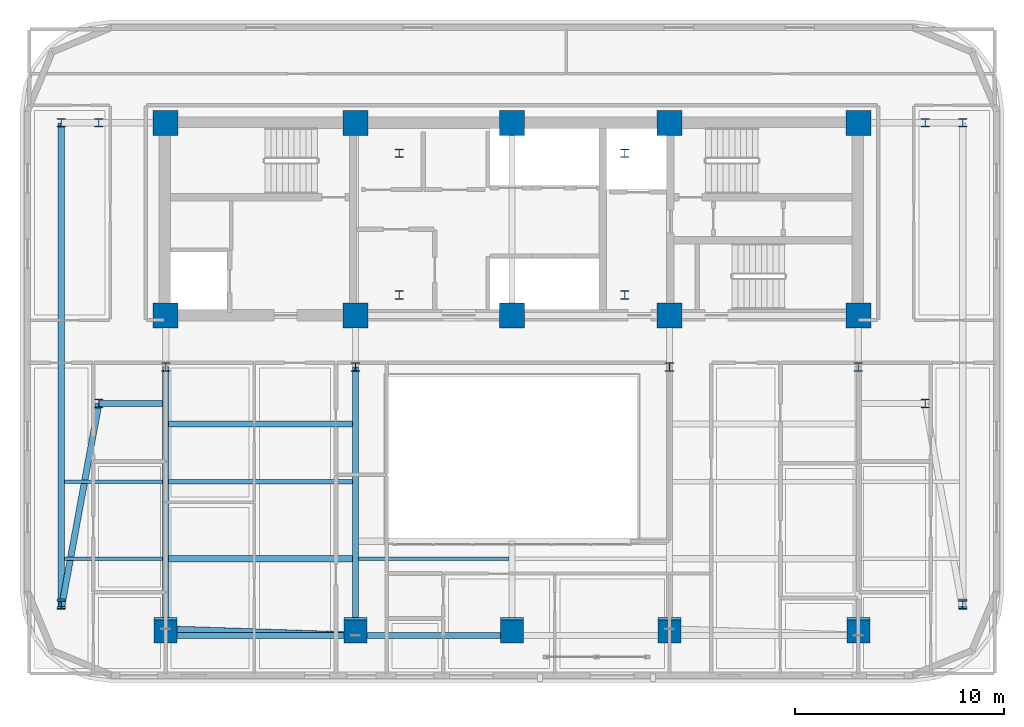
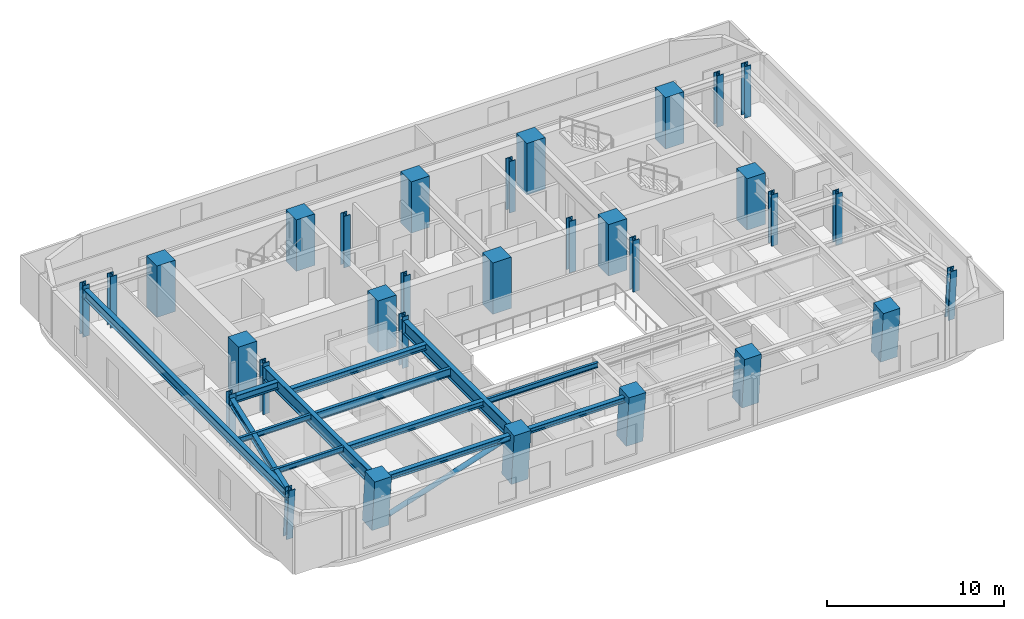
# One storey, part 1 of 13: 31 columns, 13 beams, 1 member.
"""IFC4 building model written with IfcOpenShell, lengths in metres."""

from ifc_helpers import new_model, si_unit, direction, frame, origin, origin_2d, place, context, subcontext, project, spatial, rectangle, hollow_circle, i_section, extrude, material, material_profile, profile_set, type_object, element, save


model = new_model("IFC4")

# Units and contexts
model_context = context("Model", 3, precision=1e-05, world=origin(), true_north=direction((0.0, 1.0)))
body_context = subcontext(model_context, "Body", "Model", "MODEL_VIEW")
ifc_project = project(units=[si_unit("LENGTHUNIT", "METRE"), si_unit("AREAUNIT", "SQUARE_METRE"), si_unit("VOLUMEUNIT", "CUBIC_METRE"), si_unit("PLANEANGLEUNIT", "RADIAN"), si_unit("MASSUNIT", "GRAM", prefix="KILO")], contexts=[model_context])

# Site, building, storey
site_placement = place(None, origin())
site = spatial("IfcSite", under=ifc_project, at=site_placement, CompositionType="ELEMENT")
building_placement = place(site_placement, origin())
building = spatial("IfcBuilding", under=site, at=building_placement, Name="Zarnavel Station Tower", CompositionType="ELEMENT")
storey_placement = place(building_placement, frame((0.0, 0.0, 148.35009765625)))
storey = spatial("IfcBuildingStorey", under=building, at=storey_placement, Name="L40", CompositionType="ELEMENT", Elevation=148.35009765625)

# Columns
ifc_material_1 = material(Name="Steel S355J2", Category="steel")
ifc_material_profile_1 = material_profile(ifc_material_1, i_section(OverallWidth=0.4130859375, OverallDepth=0.4150390625, WebThickness=0.030029296875, FlangeThickness=0.047119140625, FilletRadius=0.014892578125, at=origin_2d()), Name="HD400x347")
ifc_profile_set_1 = profile_set([ifc_material_profile_1], Name="Steel S355J2")
column_type_1 = type_object("IfcColumnType", Name="EC_HD347", PredefinedType="COLUMN", material=ifc_profile_set_1)
column_1_placement = place(storey_placement, frame((7.199951171875, 14.0341796875, 0.0), z_axis=(0.0, -0.079867837887, 0.996805461698), x_axis=(1.0, 0.0, 0.0)))
element("IfcColumn", 1, at=column_1_placement, inside=storey, type_object=column_type_1, Name="L40 Raked Wing Column 1", PredefinedType="COLUMN", context=body_context, shape_type="SweptSolid", body=[
    extrude(i_section(OverallWidth=0.4130859375, OverallDepth=0.4150390625, WebThickness=0.030029296875, FlangeThickness=0.047119140625, FilletRadius=0.014892578125, at=origin_2d()), origin(), (0.0, 0.0, 1.0), 3.561279296875),
])
column_2_placement = place(storey_placement, frame((7.199951171875, 37.050048828125, 0.0), z_axis=(0.0, 0.0, 1.0), x_axis=(1.0, 0.0, 0.0)))
element("IfcColumn", 2, at=column_2_placement, inside=storey, type_object=column_type_1, Name="L40 Outer Wing North Column 1", PredefinedType="COLUMN", context=body_context, shape_type="SweptSolid", body=[
    extrude(i_section(OverallWidth=0.4130859375, OverallDepth=0.4150390625, WebThickness=0.030029296875, FlangeThickness=0.047119140625, FilletRadius=0.014892578125, at=origin_2d()), origin(), (0.0, 0.0, 1.0), 3.5498046875),
])
column_3_placement = place(storey_placement, frame((50.39990234375, 14.0341796875, 0.0), z_axis=(0.0, -0.079867837887, 0.996805461698), x_axis=(1.0, 0.0, 0.0)))
element("IfcColumn", 3, at=column_3_placement, inside=storey, type_object=column_type_1, Name="L40 Raked Wing Column 2", PredefinedType="COLUMN", context=body_context, shape_type="SweptSolid", body=[
    extrude(i_section(OverallWidth=0.4130859375, OverallDepth=0.4150390625, WebThickness=0.030029296875, FlangeThickness=0.047119140625, FilletRadius=0.014892578125, at=origin_2d()), origin(), (0.0, 0.0, 1.0), 3.561279296875),
])
column_4_placement = place(storey_placement, frame((50.39990234375, 37.050048828125, 0.0), z_axis=(0.0, 0.0, 1.0), x_axis=(1.0, 0.0, 0.0)))
element("IfcColumn", 4, at=column_4_placement, inside=storey, type_object=column_type_1, Name="L40 Outer Wing North Column 2", PredefinedType="COLUMN", context=body_context, shape_type="SweptSolid", body=[
    extrude(i_section(OverallWidth=0.4130859375, OverallDepth=0.4150390625, WebThickness=0.030029296875, FlangeThickness=0.047119140625, FilletRadius=0.014892578125, at=origin_2d()), origin(), (0.0, 0.0, 1.0), 3.5498046875),
])
ifc_material_2 = material(Name="Steel S355J2", Category="steel")
ifc_material_profile_2 = material_profile(ifc_material_2, i_section(OverallWidth=0.4130859375, OverallDepth=0.4150390625, WebThickness=0.030029296875, FlangeThickness=0.047119140625, FilletRadius=0.014892578125, at=origin_2d()), Name="HD400x347")
ifc_profile_set_2 = profile_set([ifc_material_profile_2], Name="Steel S355J2")
column_type_2 = type_object("IfcColumnType", Name="IC_HD347", PredefinedType="COLUMN", material=ifc_profile_set_2)
for number, where, z_axis, x_axis, name in (
    (5, (23.39990234375, 28.800048828125, 0.0), (0.0, 0.0, 1.0), (1.0, 0.0, 0.0), "L40 Mast Spine Column 1"),
    (6, (34.199951171875, 28.800048828125, 0.0), (0.0, 0.0, 1.0), (1.0, 0.0, 0.0), "L40 Mast Spine Column 2"),
    (7, (34.199951171875, 35.60009765625, 0.0), (0.0, 0.0, 1.0), (1.0, 0.0, 0.0), "L40 Mast Spine Column 3"),
    (8, (23.39990234375, 35.60009765625, 0.0), (0.0, 0.0, 1.0), (1.0, 0.0, 0.0), "L40 Mast Spine Column 4"),
    (9, (12.199951171875, 25.35009765625, 0.0), (0.0, 0.0, 1.0), (1.0, 0.0, 0.0), "L40 Inner Spine Column 1"),
    (10, (21.300048828125, 25.35009765625, 0.0), (0.0, 0.0, 1.0), (1.0, 0.0, 0.0), "L40 Inner Spine Column 2"),
    (11, (36.35009765625, 25.35009765625, 0.0), (0.0, 0.0, 1.0), (1.0, 0.0, 0.0), "L40 Inner Spine Column 4"),
    (12, (45.39990234375, 25.35009765625, 0.0), (0.0, 0.0, 1.0), (1.0, 0.0, 0.0), "L40 Inner Spine Column 5"),
    (13, (9.0, 23.60009765625, 0.0), (0.0, 0.0, 1.0), (1.0, 0.0, 0.0), "L40 Inner Wing Spine Column 1-1"),
    (14, (9.0, 37.050048828125, 0.0), (0.0, 0.0, 1.0), (1.0, 0.0, 0.0), "L40 Inner Wing Spine Column 1-2"),
    (15, (48.60009765625, 23.60009765625, 0.0), (0.0, 0.0, 1.0), (1.0, 0.0, 0.0), "L40 Inner Wing Spine Column 2-1"),
    (16, (48.60009765625, 37.050048828125, 0.0), (0.0, 0.0, 1.0), (1.0, 0.0, 0.0), "L40 Inner Wing Spine Column 2-2"),
):
    element("IfcColumn", number, at=place(storey_placement, frame(where, z_axis=z_axis, x_axis=x_axis)), inside=storey, type_object=column_type_2, Name=name, PredefinedType="COLUMN", context=body_context, shape_type="SweptSolid", body=[
        extrude(i_section(OverallWidth=0.4130859375, OverallDepth=0.4150390625, WebThickness=0.030029296875, FlangeThickness=0.047119140625, FilletRadius=0.014892578125, at=origin_2d()), origin(), (0.0, 0.0, 1.0), 3.5498046875),
    ])
ifc_material_3 = material(Name="Concrete C50/60", Category="concrete")
ifc_material_profile_3 = material_profile(ifc_material_3, rectangle(XDim=1.199951171875, YDim=1.199951171875, at=origin_2d()), Name="RC1200x1200")
ifc_profile_set_3 = profile_set([ifc_material_profile_3], Name="Concrete C50/60")
column_type_3 = type_object("IfcColumnType", Name="IC_RC1200", PredefinedType="COLUMN", material=ifc_profile_set_3)
for number, where, z_axis, x_axis, name in (
    (17, (12.199951171875, 27.820068359375, 0.0), (0.0, 0.0, 1.0), (1.0, 0.0, 0.0), "L40 Core Spine Column 1-1"),
    (18, (12.199951171875, 37.050048828125, 0.0), (0.0, 0.0, 1.0), (1.0, 0.0, 0.0), "L40 Core Spine Column 1-2"),
    (19, (21.300048828125, 27.820068359375, 0.0), (0.0, 0.0, 1.0), (1.0, 0.0, 0.0), "L40 Core Spine Column 2-1"),
    (20, (21.300048828125, 37.050048828125, 0.0), (0.0, 0.0, 1.0), (1.0, 0.0, 0.0), "L40 Core Spine Column 2-2"),
    (21, (28.800048828125, 27.820068359375, 0.0), (0.0, 0.0, 1.0), (1.0, 0.0, 0.0), "L40 Core Spine Column 3-1"),
    (22, (28.800048828125, 37.050048828125, 0.0), (0.0, 0.0, 1.0), (1.0, 0.0, 0.0), "L40 Core Spine Column 3-2"),
    (23, (36.35009765625, 27.820068359375, 0.0), (0.0, 0.0, 1.0), (1.0, 0.0, 0.0), "L40 Core Spine Column 4-1"),
    (24, (36.35009765625, 37.050048828125, 0.0), (0.0, 0.0, 1.0), (1.0, 0.0, 0.0), "L40 Core Spine Column 4-2"),
    (25, (45.39990234375, 27.820068359375, 0.0), (0.0, 0.0, 1.0), (1.0, 0.0, 0.0), "L40 Core Spine Column 5-1"),
    (26, (45.39990234375, 37.050048828125, 0.0), (0.0, 0.0, 1.0), (1.0, 0.0, 0.0), "L40 Core Spine Column 5-2"),
):
    element("IfcColumn", number, at=place(storey_placement, frame(where, z_axis=z_axis, x_axis=x_axis)), inside=storey, type_object=column_type_3, Name=name, PredefinedType="COLUMN", context=body_context, shape_type="SweptSolid", body=[
        extrude(rectangle(XDim=1.199951171875, YDim=1.199951171875, at=origin_2d()), origin(), (0.0, 0.0, 1.0), 3.5498046875),
    ])
ifc_material_4 = material(Name="Concrete C50/60", Category="concrete")
ifc_material_profile_4 = material_profile(ifc_material_4, rectangle(XDim=1.10009765625, YDim=1.10009765625, at=origin_2d()), Name="RC1100x1100")
ifc_profile_set_4 = profile_set([ifc_material_profile_4], Name="Concrete C50/60")
column_type_4 = type_object("IfcColumnType", Name="MC_RC1100", PredefinedType="COLUMN", material=ifc_profile_set_4)
for number, where, z_axis, x_axis, name in (
    (27, (12.199951171875, 12.784423828125, 0.0), (0.0, -0.090208423039, 0.99592290887), (1.0, 0.0, 0.0), "L40 Raked South Mega-Column 1"),
    (28, (21.300048828125, 12.784423828125, 0.0), (0.0, -0.090208423039, 0.99592290887), (1.0, 0.0, 0.0), "L40 Raked South Mega-Column 2"),
    (29, (28.800048828125, 12.784423828125, 0.0), (0.0, -0.090208423039, 0.99592290887), (1.0, 0.0, 0.0), "L40 Raked South Mega-Column 3"),
    (30, (36.35009765625, 12.784423828125, 0.0), (0.0, -0.090208423039, 0.99592290887), (1.0, 0.0, 0.0), "L40 Raked South Mega-Column 4"),
    (31, (45.39990234375, 12.784423828125, 0.0), (0.0, -0.090208423039, 0.99592290887), (1.0, 0.0, 0.0), "L40 Raked South Mega-Column 5"),
):
    element("IfcColumn", number, at=place(storey_placement, frame(where, z_axis=z_axis, x_axis=x_axis)), inside=storey, type_object=column_type_4, Name=name, PredefinedType="COLUMN", context=body_context, shape_type="SweptSolid", body=[
        extrude(rectangle(XDim=1.10009765625, YDim=1.10009765625, at=origin_2d()), origin(), (0.0, 0.0, 1.0), 3.564453125),
    ])

# Member
ifc_material_5 = material(Name="Steel S355J2", Category="steel")
ifc_material_profile_5 = material_profile(ifc_material_5, hollow_circle(Radius=0.161865234375, WallThickness=0.012451171875, at=origin_2d()), Name="CHS323.9x12.5")
ifc_profile_set_5 = profile_set([ifc_material_profile_5], Name="Steel S355J2")
member_type = type_object("IfcMemberType", Name="DB_EXT_CHS324", PredefinedType="BRACE", material=ifc_profile_set_5)
member_placement = place(storey_placement, frame((12.199951171875, 12.784423828125, 0.0), z_axis=(0.939987461928, -0.030791562242, 0.33981679051), x_axis=(0.032739857023, 0.999463907183, 0.0)))
element("IfcMember", 32, at=member_placement, inside=storey, type_object=member_type, Name="L40 Persian Exterior Diagonal Frame Brace 1", PredefinedType="BRACE", context=body_context, shape_type="SweptSolid", body=[
    extrude(hollow_circle(Radius=0.161865234375, WallThickness=0.012451171875, at=origin_2d()), origin(), (0.0, 0.0, 1.0), 9.68115234375),
])

# Beams
ifc_material_6 = material(Name="Steel S355J2", Category="steel")
ifc_material_profile_6 = material_profile(ifc_material_6, i_section(OverallWidth=0.300048828125, OverallDepth=0.360107421875, WebThickness=0.012451171875, FlangeThickness=0.0224609375, FilletRadius=0.027099609375, at=origin_2d()), Name="HEB360")
ifc_profile_set_6 = profile_set([ifc_material_profile_6], Name="Steel S355J2")
beam_type_1 = type_object("IfcBeamType", Name="EB_HEB360", PredefinedType="SPANDREL", material=ifc_profile_set_6)
beam_1_placement = place(storey_placement, frame((12.199951171875, 12.486328125, 3.10986328125), z_axis=(1.0, 0.0, 0.0), x_axis=(0.0, 1.0, 0.0)))
element("IfcBeam", 33, at=beam_1_placement, inside=storey, type_object=beam_type_1, Name="L40 South Raked Spandrel 1", PredefinedType="SPANDREL", context=body_context, shape_type="SweptSolid", body=[
    extrude(i_section(OverallWidth=0.300048828125, OverallDepth=0.360107421875, WebThickness=0.012451171875, FlangeThickness=0.0224609375, FilletRadius=0.027099609375, at=origin_2d()), origin(), (0.0, 0.0, 1.0), 9.10009765625),
])
beam_2_placement = place(storey_placement, frame((21.300048828125, 12.486328125, 3.10986328125), z_axis=(1.0, 0.0, 0.0), x_axis=(0.0, 1.0, 0.0)))
element("IfcBeam", 34, at=beam_2_placement, inside=storey, type_object=beam_type_1, Name="L40 South Raked Spandrel 2", PredefinedType="SPANDREL", context=body_context, shape_type="SweptSolid", body=[
    extrude(i_section(OverallWidth=0.300048828125, OverallDepth=0.360107421875, WebThickness=0.012451171875, FlangeThickness=0.0224609375, FilletRadius=0.027099609375, at=origin_2d()), origin(), (0.0, 0.0, 1.0), 7.5),
])
ifc_material_7 = material(Name="Steel S355J2", Category="steel")
ifc_material_profile_7 = material_profile(ifc_material_7, i_section(OverallWidth=0.300048828125, OverallDepth=0.389892578125, WebThickness=0.010986328125, FlangeThickness=0.01904296875, FilletRadius=0.027099609375, at=origin_2d()), Name="HEA400")
ifc_profile_set_7 = profile_set([ifc_material_profile_7], Name="Steel S355J2")
beam_type_2 = type_object("IfcBeamType", Name="FB_HEA400", PredefinedType="BEAM", material=ifc_profile_set_7)
for number, where, z_axis, x_axis, name in (
    (35, (12.344970703125, 16.164794921875, 3.094970703125), (1.0, 0.0, 0.0), (0.0, 1.0, 0.0), "L40 West Bay Beam 1"),
    (36, (12.344970703125, 22.62158203125, 3.094970703125), (1.0, 0.0, 0.0), (0.0, 1.0, 0.0), "L40 West Bay Beam 3"),
):
    element("IfcBeam", number, at=place(storey_placement, frame(where, z_axis=z_axis, x_axis=x_axis)), inside=storey, type_object=beam_type_2, Name=name, PredefinedType="BEAM", context=body_context, shape_type="SweptSolid", body=[
        extrude(i_section(OverallWidth=0.300048828125, OverallDepth=0.389892578125, WebThickness=0.010986328125, FlangeThickness=0.01904296875, FilletRadius=0.027099609375, at=origin_2d()), origin(), (0.0, 0.0, 1.0), 8.81005859375),
    ])
ifc_material_8 = material(Name="Steel S355J2", Category="steel")
ifc_material_profile_8 = material_profile(ifc_material_8, i_section(OverallWidth=0.2099609375, OverallDepth=0.550048828125, WebThickness=0.010986328125, FlangeThickness=0.01708984375, FilletRadius=0.02392578125, at=origin_2d()), Name="IPE550")
ifc_profile_set_8 = profile_set([ifc_material_profile_8], Name="Steel S355J2")
beam_type_3 = type_object("IfcBeamType", Name="FB_IPE550", PredefinedType="BEAM", material=ifc_profile_set_8)
beam_3_placement = place(storey_placement, frame((12.344970703125, 19.84326171875, 3.014892578125), z_axis=(1.0, 0.0, 0.0), x_axis=(0.0, 1.0, 0.0)))
element("IfcBeam", 37, at=beam_3_placement, inside=storey, type_object=beam_type_3, Name="L40 West Bay Beam 2", PredefinedType="BEAM", context=body_context, shape_type="SweptSolid", body=[
    extrude(i_section(OverallWidth=0.2099609375, OverallDepth=0.550048828125, WebThickness=0.010986328125, FlangeThickness=0.01708984375, FilletRadius=0.02392578125, at=origin_2d()), origin(), (0.0, 0.0, 1.0), 8.81005859375),
])
ifc_material_9 = material(Name="Steel S355J2", Category="steel")
ifc_material_profile_9 = material_profile(ifc_material_9, i_section(OverallWidth=0.300048828125, OverallDepth=0.5, WebThickness=0.014404296875, FlangeThickness=0.028076171875, FilletRadius=0.027099609375, at=origin_2d()), Name="HEB500")
ifc_profile_set_9 = profile_set([ifc_material_profile_9], Name="Steel S355J2")
beam_type_4 = type_object("IfcBeamType", Name="FG_HEB500", PredefinedType="USERDEFINED", material=ifc_profile_set_9)
beam_4_placement = place(storey_placement, frame((7.199951171875, 13.7705078125, 3.039794921875), z_axis=(0.180130105702, 0.983642793406, 0.0), x_axis=(-0.983642793406, 0.180130105702, 0.0)))
element("IfcBeam", 38, at=beam_4_placement, inside=storey, type_object=beam_type_4, Name="L40 West Wing South Tie 1", ObjectType="GIRDER", PredefinedType="USERDEFINED", context=body_context, shape_type="SweptSolid", body=[
    extrude(i_section(OverallWidth=0.300048828125, OverallDepth=0.5, WebThickness=0.014404296875, FlangeThickness=0.028076171875, FilletRadius=0.027099609375, at=origin_2d()), origin(), (0.0, 0.0, 1.0), 9.9931640625),
])
beam_5_placement = place(storey_placement, frame((9.0, 23.60009765625, 3.039794921875), z_axis=(1.0, 0.0, 0.0), x_axis=(0.0, 1.0, 0.0)))
element("IfcBeam", 39, at=beam_5_placement, inside=storey, type_object=beam_type_4, Name="L40 West Wing South Tie 2", ObjectType="GIRDER", PredefinedType="USERDEFINED", context=body_context, shape_type="SweptSolid", body=[
    extrude(i_section(OverallWidth=0.300048828125, OverallDepth=0.5, WebThickness=0.014404296875, FlangeThickness=0.028076171875, FilletRadius=0.027099609375, at=origin_2d()), origin(), (0.0, 0.0, 1.0), 3.054931640625),
])
ifc_material_10 = material(Name="Steel S355J2", Category="steel")
ifc_material_profile_10 = material_profile(ifc_material_10, i_section(OverallWidth=0.300048828125, OverallDepth=0.64990234375, WebThickness=0.01611328125, FlangeThickness=0.031005859375, FilletRadius=0.027099609375, at=origin_2d()), Name="HEB650")
ifc_profile_set_10 = profile_set([ifc_material_profile_10], Name="Steel S355J2")
beam_type_5 = type_object("IfcBeamType", Name="FG_HEB650", PredefinedType="USERDEFINED", material=ifc_profile_set_10)
beam_6_placement = place(storey_placement, frame((7.199951171875, 13.7705078125, 2.96484375), z_axis=(0.0, 1.0, 0.0), x_axis=(-1.0, 0.0, 0.0)))
element("IfcBeam", 40, at=beam_6_placement, inside=storey, type_object=beam_type_5, Name="L40 Wing NS Girder 1", ObjectType="GIRDER", PredefinedType="USERDEFINED", context=body_context, shape_type="SweptSolid", body=[
    extrude(i_section(OverallWidth=0.300048828125, OverallDepth=0.64990234375, WebThickness=0.01611328125, FlangeThickness=0.031005859375, FilletRadius=0.027099609375, at=origin_2d()), origin(), (0.0, 0.0, 1.0), 23.279541015625),
])
ifc_material_11 = material(Name="Steel S355J2", Category="steel")
ifc_material_profile_11 = material_profile(ifc_material_11, i_section(OverallWidth=0.169921875, OverallDepth=0.360107421875, WebThickness=0.008056640625, FlangeThickness=0.0126953125, FilletRadius=0.01806640625, at=origin_2d()), Name="IPE360")
ifc_profile_set_11 = profile_set([ifc_material_profile_11], Name="Steel S355J2")
beam_type_6 = type_object("IfcBeamType", Name="FJ_IPE360", PredefinedType="JOIST", material=ifc_profile_set_11)
beam_7_placement = place(storey_placement, frame((21.445068359375, 16.164794921875, 3.10986328125), z_axis=(1.0, 0.0, 0.0), x_axis=(0.0, 1.0, 0.0)))
element("IfcBeam", 41, at=beam_7_placement, inside=storey, type_object=beam_type_6, Name="L40 Mid-West Joist 1", PredefinedType="JOIST", context=body_context, shape_type="SweptSolid", body=[
    extrude(i_section(OverallWidth=0.169921875, OverallDepth=0.360107421875, WebThickness=0.008056640625, FlangeThickness=0.0126953125, FilletRadius=0.01806640625, at=origin_2d()), origin(), (0.0, 0.0, 1.0), 7.2099609375),
])
for number, where, z_axis, x_axis, name in (
    (42, (7.344970703125, 16.164794921875, 3.10986328125), (1.0, 0.0, 0.0), (0.0, 1.0, 0.0), "L40 West Wing Joist 1"),
    (43, (7.344970703125, 19.84326171875, 3.10986328125), (1.0, 0.0, 0.0), (0.0, 1.0, 0.0), "L40 West Wing Joist 2"),
):
    element("IfcBeam", number, at=place(storey_placement, frame(where, z_axis=z_axis, x_axis=x_axis)), inside=storey, type_object=beam_type_6, Name=name, PredefinedType="JOIST", context=body_context, shape_type="SweptSolid", body=[
        extrude(i_section(OverallWidth=0.169921875, OverallDepth=0.360107421875, WebThickness=0.008056640625, FlangeThickness=0.0126953125, FilletRadius=0.01806640625, at=origin_2d()), origin(), (0.0, 0.0, 1.0), 4.7099609375),
    ])
ifc_material_12 = material(Name="Steel S460M", Category="steel")
ifc_material_profile_12 = material_profile(ifc_material_12, i_section(OverallWidth=0.302001953125, OverallDepth=0.909912109375, WebThickness=0.02099609375, FlangeThickness=0.0400390625, FilletRadius=0.030029296875, at=origin_2d()), Name="HEM900")
ifc_profile_set_12 = profile_set([ifc_material_profile_12], Name="Steel S460M")
beam_type_7 = type_object("IfcBeamType", Name="TG_HEM900", PredefinedType="USERDEFINED", material=ifc_profile_set_12)
for number, where, z_axis, x_axis, name in (
    (44, (12.199951171875, 12.486328125, 2.8349609375), (0.0, 1.0, 0.0), (-1.0, 0.0, 0.0), "L40 South-Zone NS Girder 1"),
    (45, (21.300048828125, 12.486328125, 2.8349609375), (0.0, 1.0, 0.0), (-1.0, 0.0, 0.0), "L40 South-Zone NS Girder 2"),
):
    element("IfcBeam", number, at=place(storey_placement, frame(where, z_axis=z_axis, x_axis=x_axis)), inside=storey, type_object=beam_type_7, Name=name, ObjectType="GIRDER", PredefinedType="USERDEFINED", context=body_context, shape_type="SweptSolid", body=[
        extrude(i_section(OverallWidth=0.302001953125, OverallDepth=0.909912109375, WebThickness=0.02099609375, FlangeThickness=0.0400390625, FilletRadius=0.030029296875, at=origin_2d()), origin(), (0.0, 0.0, 1.0), 12.86376953125),
    ])

save(model, "model.ifc")
